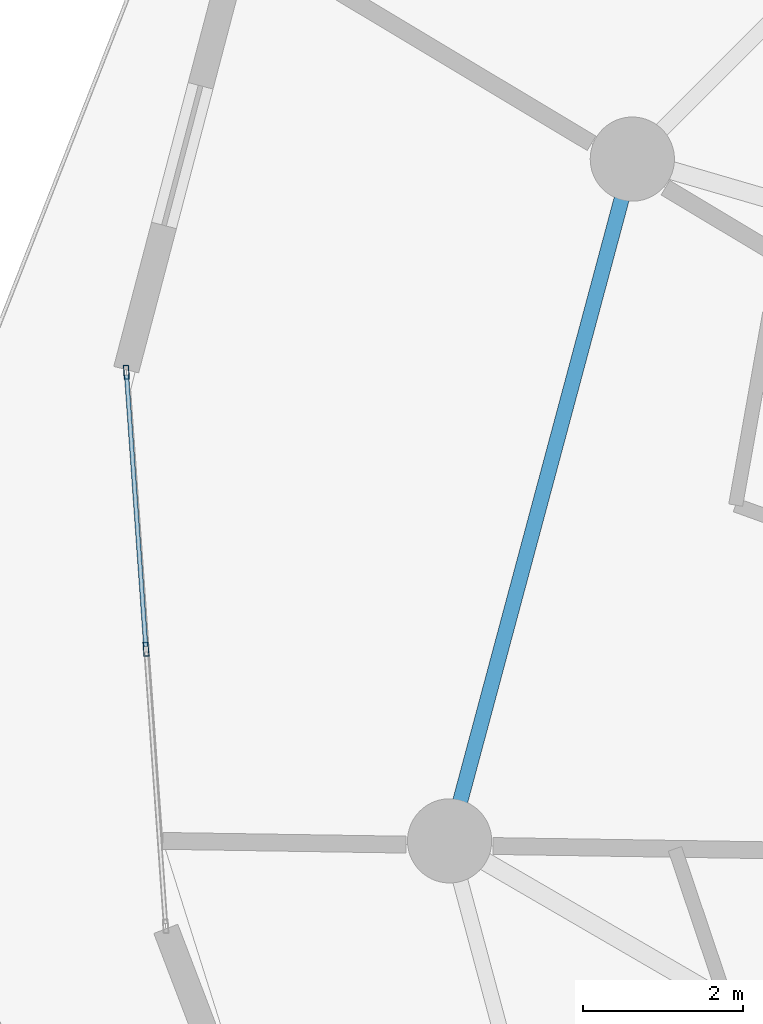
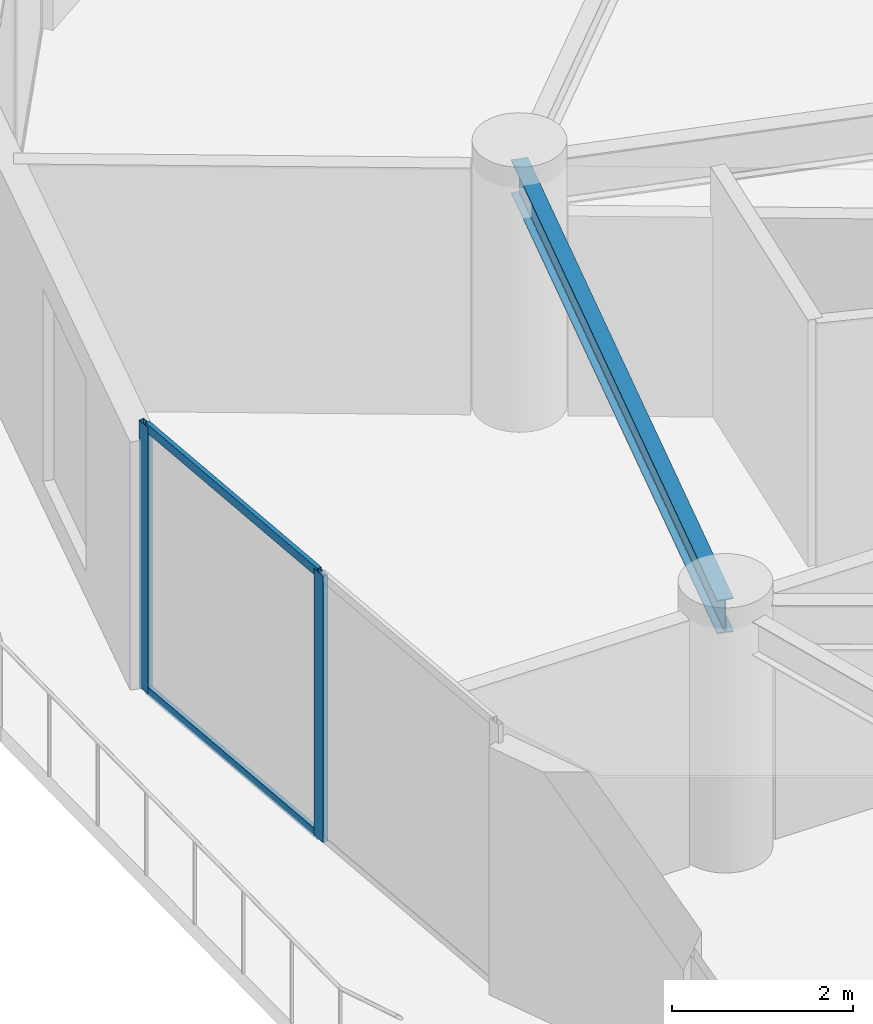
# One storey, part 7 of 22: 4 members, 1 beam, 1 element without a shape of its own.
"""IFC4 building model written with IfcOpenShell, lengths in metres."""

from ifc_helpers import new_model, si_unit, direction, frame, origin, origin_2d, place, context, subcontext, project, spatial, hollow_rectangle, i_section, extrude, source, transform, mapped, material, layer, layer_set, material_profile, profile_set, type_object, element, aggregate, save


model = new_model("IFC4")

# Units and contexts
model_context = context("Model", 3, precision=1e-05, world=origin(), true_north=direction((0.0, 1.0)))
body_context = subcontext(model_context, "Body", "Model", "MODEL_VIEW")
ifc_project = project(units=[si_unit("LENGTHUNIT", "METRE"), si_unit("AREAUNIT", "SQUARE_METRE"), si_unit("VOLUMEUNIT", "CUBIC_METRE"), si_unit("PLANEANGLEUNIT", "RADIAN"), si_unit("MASSUNIT", "GRAM", prefix="KILO")], contexts=[model_context])

# Site, building, storey
site_placement = place(None, origin())
site = spatial("IfcSite", under=ifc_project, at=site_placement, CompositionType="ELEMENT")
building_placement = place(site_placement, origin())
building = spatial("IfcBuilding", under=site, at=building_placement, Name="Solvirekh Grand Hotel", CompositionType="ELEMENT")
storey_placement = place(building_placement, frame((0.0, 0.0, 149.39990234375)))
storey = spatial("IfcBuildingStorey", under=building, at=storey_placement, Name="L38", CompositionType="ELEMENT", Elevation=149.39990234375)

# Beam
ifc_material_1 = material(Name="Steel S355", Category="steel")
ifc_material_profile_1 = material_profile(ifc_material_1, i_section(OverallWidth=0.18994140625, OverallDepth=0.45703125, WebThickness=0.009033203125, FlangeThickness=0.013916015625, FilletRadius=0.012939453125, at=origin_2d()), Name="W460X74")
ifc_profile_set_1 = profile_set([ifc_material_profile_1], Name="Steel S355")
beam_type = type_object("IfcBeamType", Name="Spandrel_Ring_W460", PredefinedType="SPANDREL", material=ifc_profile_set_1)
beam_placement = place(storey_placement, frame((-14.721923828125, 8.5, 3.1220703125), z_axis=(-0.258872908946, -0.965911391906, 0.0), x_axis=(0.965911391906, -0.258872908946, 0.0)))
element("IfcBeam", 1, at=beam_placement, inside=storey, type_object=beam_type, Name="L38 perimeter spandrel beam 6", PredefinedType="SPANDREL", context=body_context, shape_type="SweptSolid", body=[
    extrude(i_section(OverallWidth=0.18994140625, OverallDepth=0.45703125, WebThickness=0.009033203125, FlangeThickness=0.013916015625, FilletRadius=0.012939453125, at=origin_2d()), origin(), (0.0, 0.0, 1.0), 8.800048828125),
])

# Curtain wall, members
ifc_material_2 = material(Name="Anodized Bronze Aluminium 6063-T6", Category="aluminium")
ifc_layer = layer(ifc_material_2, 0.175048828125)
ifc_layer_set = layer_set([ifc_layer], Name="Anodized Bronze Aluminium 6063-T6")
curtain_wall_type = type_object("IfcCurtainWallType", Name="CW_Sys3_MidZoneFlushBronzeCW", PredefinedType="NOTDEFINED", material=ifc_layer_set)
curtain_wall_placement = place(storey_placement, origin())
curtain_wall = element("IfcCurtainWall", 2, at=curtain_wall_placement, inside=storey, type_object=curtain_wall_type, Name="L38 unitised bronze-glass curtain wall CW-L38-C13", PredefinedType="NOTDEFINED")
ifc_material_profile_2 = material_profile(ifc_material_2, hollow_rectangle(XDim=0.054931640625, YDim=0.1201171875, WallThickness=0.00390625, at=origin_2d()), Name="ALU RHS 120X55X4")
ifc_profile_set_2 = profile_set([ifc_material_profile_2], Name="Anodized Bronze Aluminium 6063-T6")
member_type_1 = type_object("IfcMemberType", Name="CWTransom_Sys3", PredefinedType="USERDEFINED", material=ifc_profile_set_2)
shared_shape_1 = source(origin(), body_context, "Body", "SweptSolid", [
    extrude(hollow_rectangle(XDim=0.054931640625, YDim=0.1201171875, WallThickness=0.00390625, at=origin_2d()), origin(), (0.0, 0.0, 1.0), 3.397216796875),
])
member_1_placement = place(storey_placement, frame((-21.02734375, 5.81005859375, 0.027587890625), z_axis=(0.070644383133, -0.997501564476, 0.0), x_axis=(0.997501564476, 0.070644383133, 0.0)))
member_1 = element("IfcMember", 3, at=member_1_placement, type_object=member_type_1, Name="U03 transom 1.1", ObjectType="TRANSOM", PredefinedType="USERDEFINED", context=body_context, shape_type="MappedRepresentation", body=[
    mapped(shared_shape_1, transform((0.0, 0.0, 0.0), x_axis=(1.0, 0.0, 0.0), y_axis=(0.0, 1.0, 0.0), z_axis=(0.0, 0.0, 1.0), scale=1.0)),
])
member_2_placement = place(storey_placement, frame((-21.02734375, 5.81005859375, 3.572509765625), z_axis=(0.070644383133, -0.997501564476, 0.0), x_axis=(0.997501564476, 0.070644383133, 0.0)))
member_2 = element("IfcMember", 4, at=member_2_placement, type_object=member_type_1, Name="U03 transom 1.2", ObjectType="TRANSOM", PredefinedType="USERDEFINED", context=body_context, shape_type="MappedRepresentation", body=[
    mapped(shared_shape_1, transform((0.0, 0.0, 0.0), x_axis=(1.0, 0.0, 0.0), y_axis=(0.0, 1.0, 0.0), z_axis=(0.0, 0.0, 1.0), scale=1.0)),
])
ifc_material_profile_3 = material_profile(ifc_material_2, hollow_rectangle(XDim=0.06494140625, YDim=0.175048828125, WallThickness=0.0048828125, at=origin_2d()), Name="ALU RHS 175X65X5")
ifc_profile_set_3 = profile_set([ifc_material_profile_3], Name="Anodized Bronze Aluminium 6063-T6")
member_type_2 = type_object("IfcMemberType", Name="CWMullion_Sys3", PredefinedType="MULLION", material=ifc_profile_set_3)
shared_shape_2 = source(origin(), body_context, "Body", "SweptSolid", [
    extrude(hollow_rectangle(XDim=0.06494140625, YDim=0.175048828125, WallThickness=0.0048828125, at=origin_2d()), origin(), (0.0, 0.0, 1.0), 3.60009765625),
])
member_3_placement = place(storey_placement, frame((-21.02978515625, 5.842529296875, 0.0), z_axis=(0.0, 0.0, 1.0), x_axis=(0.997499207582, 0.070677654689, 0.0)))
member_3 = element("IfcMember", 5, at=member_3_placement, type_object=member_type_2, Name="U03 mullion 1", PredefinedType="MULLION", context=body_context, shape_type="MappedRepresentation", body=[
    mapped(shared_shape_2, transform((0.0, 0.0, 0.0), x_axis=(1.0, 0.0, 0.0), y_axis=(0.0, 1.0, 0.0), z_axis=(0.0, 0.0, 1.0), scale=1.0)),
])
member_4_placement = place(storey_placement, frame((-20.784912109375, 2.388916015625, 0.0), z_axis=(0.0, 0.0, 1.0), x_axis=(0.997499207582, 0.070677654689, 0.0)))
member_4 = element("IfcMember", 6, at=member_4_placement, type_object=member_type_2, Name="U03 mullion 2", PredefinedType="MULLION", context=body_context, shape_type="MappedRepresentation", body=[
    mapped(shared_shape_2, transform((0.0, 0.0, 0.0), x_axis=(1.0, 0.0, 0.0), y_axis=(0.0, 1.0, 0.0), z_axis=(0.0, 0.0, 1.0), scale=1.0)),
])
aggregate(curtain_wall, [member_3, member_4, member_1, member_2])

save(model, "model.ifc")
